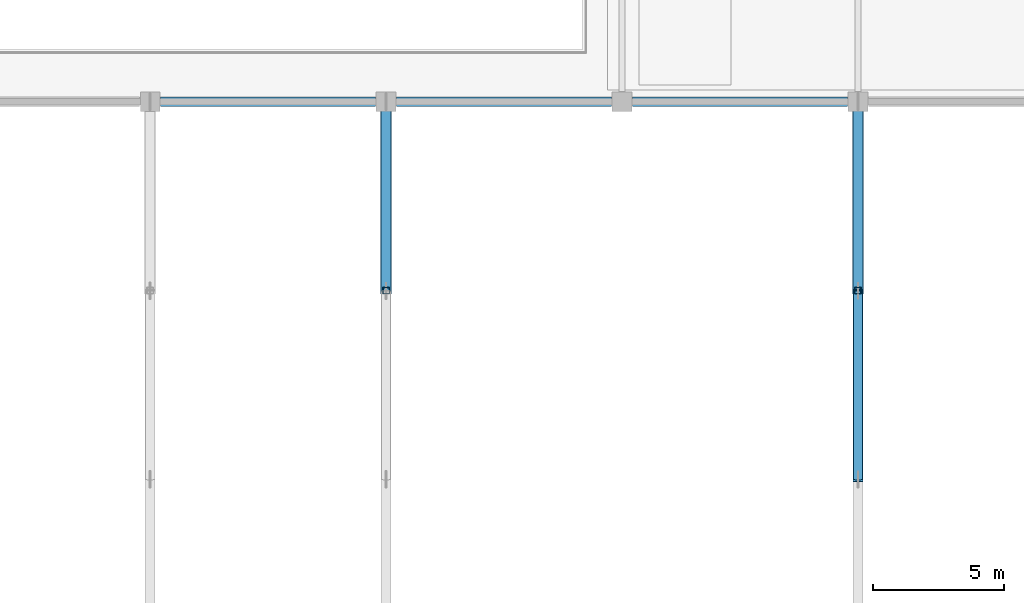
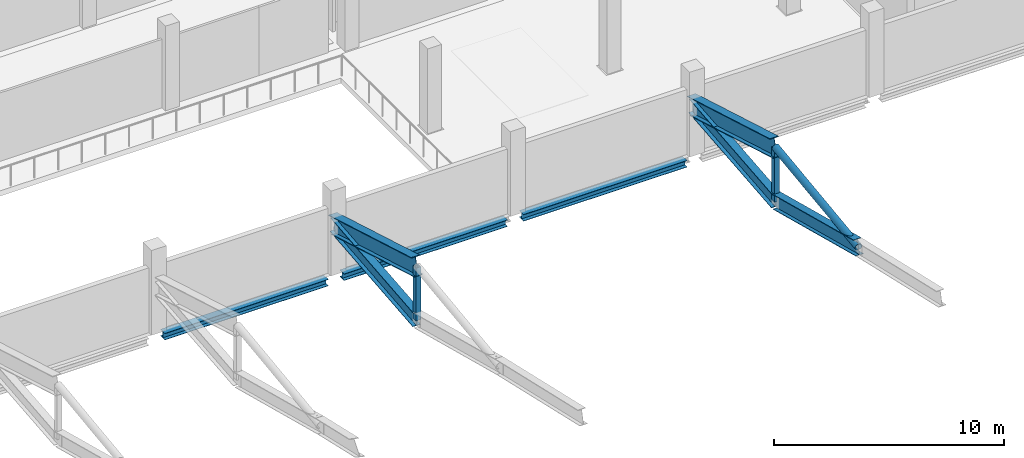
# One storey, part 29 of 151: 8 members, 3 beams.
"""IFC4 building model written with IfcOpenShell, lengths in metres."""

from ifc_helpers import new_model, si_unit, direction, frame, origin, origin_2d, place, context, subcontext, project, spatial, hollow_rectangle, hollow_circle, i_section, extrude, material, material_profile, profile_set, type_object, element, save


model = new_model("IFC4")

# Units and contexts
model_context = context("Model", 3, precision=1e-05, world=origin(), true_north=direction((0.0, 1.0)))
body_context = subcontext(model_context, "Body", "Model", "MODEL_VIEW")
ifc_project = project(units=[si_unit("LENGTHUNIT", "METRE"), si_unit("AREAUNIT", "SQUARE_METRE"), si_unit("VOLUMEUNIT", "CUBIC_METRE"), si_unit("PLANEANGLEUNIT", "RADIAN"), si_unit("MASSUNIT", "GRAM", prefix="KILO")], contexts=[model_context])

# Site, building, storey
site_placement = place(None, origin())
site = spatial("IfcSite", under=ifc_project, at=site_placement, CompositionType="ELEMENT")
building_placement = place(site_placement, origin())
building = spatial("IfcBuilding", under=site, at=building_placement, Name="Celestram Park Convention Centre", CompositionType="ELEMENT")
storey_placement = place(building_placement, frame((0.0, 0.0, 10.800048828125)))
storey = spatial("IfcBuildingStorey", under=building, at=storey_placement, Name="L02", CompositionType="ELEMENT", Elevation=10.800048828125)

# Members
ifc_material_1 = material(Name="Steel ASTM A500 Grade C", Category="steel")
ifc_material_profile_1 = material_profile(ifc_material_1, hollow_circle(Radius=0.177978515625, WallThickness=0.011962890625, at=origin_2d()), Name="CHS356X12")
ifc_profile_set_1 = profile_set([ifc_material_profile_1], Name="Steel ASTM A500 Grade C")
member_type_1 = type_object("IfcMemberType", Name="STR-BRC-CHS356", PredefinedType="BRACE", material=ifc_profile_set_1)
member_1_placement = place(storey_placement, frame((90.0, 93.60009765625, 3.615234375), z_axis=(0.0, 0.991906664472, 0.126969165453), x_axis=(-1.0, 0.0, 0.0)))
element("IfcMember", 1, at=member_1_placement, inside=storey, type_object=member_type_1, Name="V1 arch web diagonal", PredefinedType="BRACE", context=body_context, shape_type="SweptSolid", body=[
    extrude(hollow_circle(Radius=0.177978515625, WallThickness=0.011962890625, at=origin_2d()), origin(), (0.0, 0.0, 1.0), 7.2587890625),
])
ifc_material_2 = material(Name="Steel ASTM A992 Grade 50", Category="steel")
ifc_material_profile_2 = material_profile(ifc_material_2, i_section(OverallWidth=0.381103515625, OverallDepth=0.77197265625, WebThickness=0.0166015625, FlangeThickness=0.027099609375, at=origin_2d()), Name="W30X173")
ifc_profile_set_2 = profile_set([ifc_material_profile_2], Name="Steel ASTM A992 Grade 50")
member_type_2 = type_object("IfcMemberType", Name="STR-CHD-W30X173", PredefinedType="CHORD", material=ifc_profile_set_2)
member_2_placement = place(storey_placement, frame((72.0, 100.800048828125, 1.73681640625), z_axis=(0.0, 0.995417621099, 0.095623007717), x_axis=(-1.0, 0.0, 0.0)))
element("IfcMember", 2, at=member_2_placement, inside=storey, type_object=member_type_2, Name="V1 arch bottom chord", PredefinedType="CHORD", context=body_context, shape_type="SweptSolid", body=[
    extrude(i_section(OverallWidth=0.381103515625, OverallDepth=0.77197265625, WebThickness=0.0166015625, FlangeThickness=0.027099609375, at=origin_2d()), origin(), (0.0, 0.0, 1.0), 7.233154296875),
])
member_3_placement = place(storey_placement, frame((90.0, 93.60009765625, 3.615234375), z_axis=(0.0, 0.967611697295, -0.252443267403), x_axis=(-1.0, 0.0, 0.0)))
element("IfcMember", 3, at=member_3_placement, inside=storey, type_object=member_type_2, Name="V1 arch bottom chord", PredefinedType="CHORD", context=body_context, shape_type="SweptSolid", body=[
    extrude(i_section(OverallWidth=0.381103515625, OverallDepth=0.77197265625, WebThickness=0.0166015625, FlangeThickness=0.027099609375, at=origin_2d()), origin(), (0.0, 0.0, 1.0), 7.44091796875),
])
member_4_placement = place(storey_placement, frame((90.0, 100.800048828125, 1.73681640625), z_axis=(0.0, 0.995417621099, 0.095623007717), x_axis=(-1.0, 0.0, 0.0)))
element("IfcMember", 4, at=member_4_placement, inside=storey, type_object=member_type_2, Name="V1 arch bottom chord", PredefinedType="CHORD", context=body_context, shape_type="SweptSolid", body=[
    extrude(i_section(OverallWidth=0.381103515625, OverallDepth=0.77197265625, WebThickness=0.0166015625, FlangeThickness=0.027099609375, at=origin_2d()), origin(), (0.0, 0.0, 1.0), 7.233154296875),
])
ifc_material_profile_3 = material_profile(ifc_material_2, i_section(OverallWidth=0.4189453125, OverallDepth=0.927001953125, WebThickness=0.019287109375, FlangeThickness=0.031982421875, at=origin_2d()), Name="W36X231")
ifc_profile_set_3 = profile_set([ifc_material_profile_3], Name="Steel ASTM A992 Grade 50")
member_type_3 = type_object("IfcMemberType", Name="STR-CHD-W36X231", PredefinedType="CHORD", material=ifc_profile_set_3)
for number, where, z_axis, x_axis, name in (
    (5, (72.0, 100.800048828125, 4.536865234375), (0.0, 0.959698026141, -0.281033269599), (-1.0, 0.0, 0.0), "V1 arch top chord"),
    (6, (90.0, 100.800048828125, 4.536865234375), (0.0, 0.959698026141, -0.281033269599), (-1.0, 0.0, 0.0), "V1 arch top chord"),
):
    element("IfcMember", number, at=place(storey_placement, frame(where, z_axis=z_axis, x_axis=x_axis)), inside=storey, type_object=member_type_3, Name=name, PredefinedType="CHORD", context=body_context, shape_type="SweptSolid", body=[
        extrude(i_section(OverallWidth=0.4189453125, OverallDepth=0.927001953125, WebThickness=0.019287109375, FlangeThickness=0.031982421875, at=origin_2d()), origin(), (0.0, 0.0, 1.0), 7.502197265625),
    ])

# Beams
ifc_material_profile_4 = material_profile(ifc_material_2, i_section(OverallWidth=0.367919921875, OverallDepth=0.35595703125, WebThickness=0.01123046875, FlangeThickness=0.01806640625, at=origin_2d()), Name="W14X90")
ifc_profile_set_4 = profile_set([ifc_material_profile_4], Name="Steel ASTM A992 Grade 50")
beam_type = type_object("IfcBeamType", Name="STR-SPN-W14X90", PredefinedType="SPANDREL", material=ifc_profile_set_4)
for number, where, z_axis, x_axis, name in (
    (7, (63.39794921875, 108.0, -0.4580078125), (1.0, 0.0, 0.0), (0.0, 1.0, 0.0), "Primary X-girder BG-L02-0054"),
    (8, (72.39794921875, 108.0, -0.4580078125), (1.0, 0.0, 0.0), (0.0, 1.0, 0.0), "Primary X-girder BG-L02-0066"),
    (9, (81.39794921875, 108.0, -0.4580078125), (1.0, 0.0, 0.0), (0.0, 1.0, 0.0), "Primary X-girder BG-L02-0080"),
):
    element("IfcBeam", number, at=place(storey_placement, frame(where, z_axis=z_axis, x_axis=x_axis)), inside=storey, type_object=beam_type, Name=name, PredefinedType="SPANDREL", context=body_context, shape_type="SweptSolid", body=[
        extrude(i_section(OverallWidth=0.367919921875, OverallDepth=0.35595703125, WebThickness=0.01123046875, FlangeThickness=0.01806640625, at=origin_2d()), origin(), (0.0, 0.0, 1.0), 8.2041015625),
    ])

# Members
ifc_material_profile_5 = material_profile(ifc_material_1, hollow_rectangle(XDim=0.25, YDim=0.25, WallThickness=0.011962890625, at=origin_2d()), Name="HSS250X250X12")
ifc_profile_set_5 = profile_set([ifc_material_profile_5], Name="Steel ASTM A500 Grade C")
member_type_4 = type_object("IfcMemberType", Name="STR-STR-HSS250", PredefinedType="STRUT", material=ifc_profile_set_5)
for number, where, z_axis, x_axis, name in (
    (10, (72.0, 100.800048828125, 1.73681640625), (0.0, 0.0, 1.0), (1.0, 0.0, 0.0), "V1 arch vertical strut"),
    (11, (90.0, 100.800048828125, 1.73681640625), (0.0, 0.0, 1.0), (1.0, 0.0, 0.0), "V1 arch vertical strut"),
):
    element("IfcMember", number, at=place(storey_placement, frame(where, z_axis=z_axis, x_axis=x_axis)), inside=storey, type_object=member_type_4, Name=name, PredefinedType="STRUT", context=body_context, shape_type="SweptSolid", body=[
        extrude(hollow_rectangle(XDim=0.25, YDim=0.25, WallThickness=0.011962890625, at=origin_2d()), origin(), (0.0, 0.0, 1.0), 2.800048828125),
    ])

save(model, "model.ifc")
